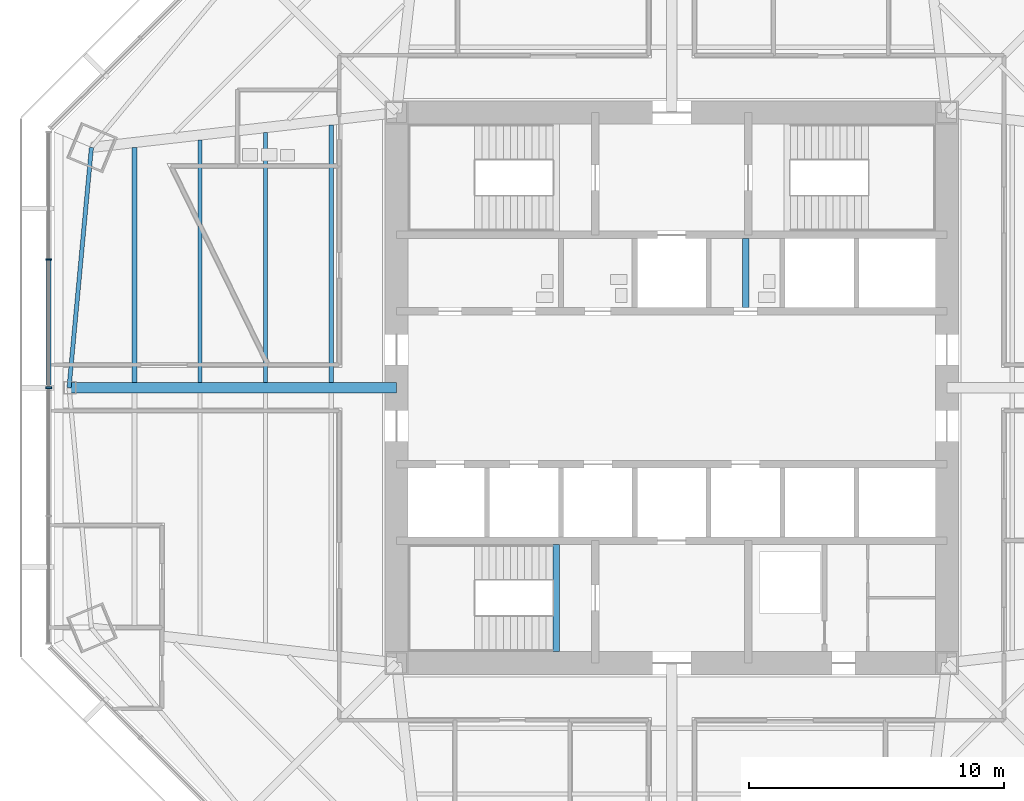
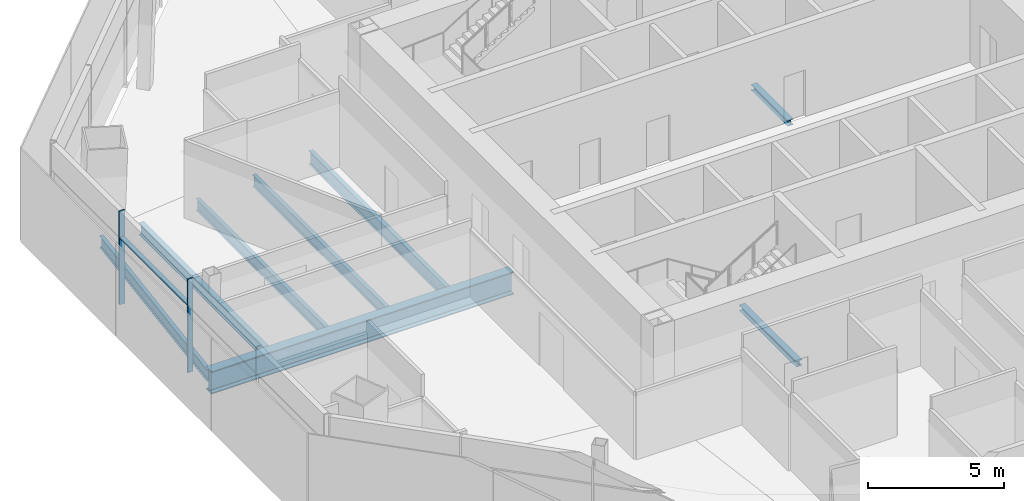
# One storey, part 3 of 15: 8 beams, 3 members, 1 element without a shape of its own.
"""IFC4 building model written with IfcOpenShell, lengths in metres."""

from ifc_helpers import new_model, si_unit, direction, frame, origin, origin_2d, place, context, subcontext, project, spatial, rectangle, i_section, extrude, source, transform, mapped, material, material_profile, profile_set, type_object, type_shapes, element, aggregate, save


model = new_model("IFC4")

# Units and contexts
model_context = context("Model", 3, precision=1e-05, world=origin(), true_north=direction((0.0, 1.0)))
body_context = subcontext(model_context, "Body", "Model", "MODEL_VIEW")
ifc_project = project(units=[si_unit("LENGTHUNIT", "METRE"), si_unit("AREAUNIT", "SQUARE_METRE"), si_unit("VOLUMEUNIT", "CUBIC_METRE"), si_unit("PLANEANGLEUNIT", "RADIAN"), si_unit("MASSUNIT", "GRAM", prefix="KILO")], contexts=[model_context])

# Site, building, storey
site_placement = place(None, origin())
site = spatial("IfcSite", under=ifc_project, at=site_placement, CompositionType="ELEMENT")
building_placement = place(site_placement, origin())
building = spatial("IfcBuilding", under=site, at=building_placement, Name="Mashrafa Tower", CompositionType="ELEMENT")
storey_placement = place(building_placement, frame((0.0, 0.0, 126.0)))
storey = spatial("IfcBuildingStorey", under=building, at=storey_placement, Name="L28", CompositionType="ELEMENT", Elevation=126.0)

# Beams
ifc_material_1 = material(Name="Steel ASTM A992", Category="steel")
ifc_material_profile_1 = material_profile(ifc_material_1, i_section(OverallWidth=0.1650390625, OverallDepth=0.52587890625, WebThickness=0.0087890625, FlangeThickness=0.011474609375, FilletRadius=0.0126953125, at=origin_2d()), Name="W21X44")
ifc_profile_set_1 = profile_set([ifc_material_profile_1], Name="Steel ASTM A992")
beam_type_1 = type_object("IfcBeamType", Name="Beam W21X44", PredefinedType="BEAM", material=ifc_profile_set_1)
beam_1_placement = place(storey_placement, frame((-18.512939453125, 0.20068359375, -0.427978515625), z_axis=(0.0, 1.0, 0.0), x_axis=(-1.0, 0.0, 0.0)))
element("IfcBeam", 1, at=beam_1_placement, inside=storey, type_object=beam_type_1, Name="Floor beam L28 005", PredefinedType="BEAM", context=body_context, shape_type="SweptSolid", body=[
    extrude(i_section(OverallWidth=0.1650390625, OverallDepth=0.52587890625, WebThickness=0.0087890625, FlangeThickness=0.011474609375, FilletRadius=0.0126953125, at=origin_2d()), origin(), (0.0, 0.0, 1.0), 9.517822265625),
])
beam_2_placement = place(storey_placement, frame((-15.94189453125, 0.20068359375, -0.427978515625), z_axis=(0.0, 1.0, 0.0), x_axis=(-1.0, 0.0, 0.0)))
element("IfcBeam", 2, at=beam_2_placement, inside=storey, type_object=beam_type_1, Name="Floor beam L28 007", PredefinedType="BEAM", context=body_context, shape_type="SweptSolid", body=[
    extrude(i_section(OverallWidth=0.1650390625, OverallDepth=0.52587890625, WebThickness=0.0087890625, FlangeThickness=0.011474609375, FilletRadius=0.0126953125, at=origin_2d()), origin(), (0.0, 0.0, 1.0), 9.81103515625),
])
beam_3_placement = place(storey_placement, frame((-22.77685546875, 9.4345703125, -0.427978515625), z_axis=(-0.092679804998, -0.995695964512, 0.0), x_axis=(0.995695964512, -0.092679804998, 0.0)))
element("IfcBeam", 3, at=beam_3_placement, inside=storey, type_object=beam_type_1, Name="Spandrel beam L28 067", PredefinedType="BEAM", context=body_context, shape_type="SweptSolid", body=[
    extrude(i_section(OverallWidth=0.1650390625, OverallDepth=0.52587890625, WebThickness=0.0087890625, FlangeThickness=0.011474609375, FilletRadius=0.0126953125, at=origin_2d()), origin(), (0.0, 0.0, 1.0), 9.475341796875),
])
ifc_material_2 = material(Name="Steel ASTM A992", Category="steel")
ifc_material_profile_2 = material_profile(ifc_material_2, i_section(OverallWidth=0.209228515625, OverallDepth=0.533447265625, WebThickness=0.01025390625, FlangeThickness=0.015625, FilletRadius=0.012939453125, at=origin_2d()), Name="W21X62")
ifc_profile_set_2 = profile_set([ifc_material_profile_2], Name="Steel ASTM A992")
beam_type_2 = type_object("IfcBeamType", Name="Beam W21X62", PredefinedType="BEAM", material=ifc_profile_set_2)
beam_4_placement = place(storey_placement, frame((-21.083984375, 0.20068359375, -0.431640625), z_axis=(0.0, 1.0, 0.0), x_axis=(-1.0, 0.0, 0.0)))
element("IfcBeam", 4, at=beam_4_placement, inside=storey, type_object=beam_type_2, Name="Floor beam L28 002", PredefinedType="BEAM", context=body_context, shape_type="SweptSolid", body=[
    extrude(i_section(OverallWidth=0.209228515625, OverallDepth=0.533447265625, WebThickness=0.01025390625, FlangeThickness=0.015625, FilletRadius=0.012939453125, at=origin_2d()), origin(), (0.0, 0.0, 1.0), 9.224853515625),
])
ifc_material_3 = material(Name="Steel ASTM A992", Category="steel")
ifc_material_profile_3 = material_profile(ifc_material_3, i_section(OverallWidth=0.177978515625, OverallDepth=0.599365234375, WebThickness=0.010009765625, FlangeThickness=0.012939453125, FilletRadius=0.012939453125, at=origin_2d()), Name="W24X55")
ifc_profile_set_3 = profile_set([ifc_material_profile_3], Name="Steel ASTM A992")
beam_type_3 = type_object("IfcBeamType", Name="Beam W24X55", PredefinedType="BEAM", material=ifc_profile_set_3)
beam_5_placement = place(storey_placement, frame((-13.37109375, 0.20068359375, -0.464599609375), z_axis=(0.0, 1.0, 0.0), x_axis=(-1.0, 0.0, 0.0)))
element("IfcBeam", 5, at=beam_5_placement, inside=storey, type_object=beam_type_3, Name="Floor beam L28 012", PredefinedType="BEAM", context=body_context, shape_type="SweptSolid", body=[
    extrude(i_section(OverallWidth=0.177978515625, OverallDepth=0.599365234375, WebThickness=0.010009765625, FlangeThickness=0.012939453125, FilletRadius=0.012939453125, at=origin_2d()), origin(), (0.0, 0.0, 1.0), 10.104248046875),
])
ifc_material_4 = material(Name="Steel ASTM A992", Category="steel")
ifc_material_profile_4 = material_profile(ifc_material_4, i_section(OverallWidth=0.4013671875, OverallDepth=1.010986328125, WebThickness=0.023681640625, FlangeThickness=0.0419921875, FilletRadius=0.02001953125, at=origin_2d()), Name="W40X297")
ifc_profile_set_4 = profile_set([ifc_material_profile_4], Name="Steel ASTM A992")
beam_type_4 = type_object("IfcBeamType", Name="Beam W40X297", PredefinedType="BEAM", material=ifc_profile_set_4)
beam_6_placement = place(storey_placement, frame((-10.800048828125, 0.0, -0.67041015625), z_axis=(-1.0, 0.0, 0.0), x_axis=(0.0, -1.0, 0.0)))
element("IfcBeam", 6, at=beam_6_placement, inside=storey, type_object=beam_type_4, Name="Radial girder L28 052", PredefinedType="BEAM", context=body_context, shape_type="SweptSolid", body=[
    extrude(i_section(OverallWidth=0.4013671875, OverallDepth=1.010986328125, WebThickness=0.023681640625, FlangeThickness=0.0419921875, FilletRadius=0.02001953125, at=origin_2d()), origin(), (0.0, 0.0, 1.0), 12.85498046875),
])
ifc_material_5 = material(Name="Steel ASTM A992", Category="steel")
ifc_material_profile_5 = material_profile(ifc_material_5, i_section(OverallWidth=0.25390625, OverallDepth=0.25390625, WebThickness=0.008544921875, FlangeThickness=0.01416015625, FilletRadius=0.010009765625, at=origin_2d()), Name="W10X49")
ifc_profile_set_5 = profile_set([ifc_material_profile_5], Name="Steel ASTM A992")
beam_type_5 = type_object("IfcBeamType", Name="Hoistway beam W10X49", PredefinedType="BEAM", material=ifc_profile_set_5)
beam_7_placement = place(storey_placement, frame((2.89990234375, 3.14990234375, -0.2919921875), z_axis=(0.0, 1.0, 0.0), x_axis=(-1.0, 0.0, 0.0)))
element("IfcBeam", 7, at=beam_7_placement, inside=storey, type_object=beam_type_5, Name="Hoistway beam L28 06", PredefinedType="BEAM", context=body_context, shape_type="SweptSolid", body=[
    extrude(i_section(OverallWidth=0.25390625, OverallDepth=0.25390625, WebThickness=0.008544921875, FlangeThickness=0.01416015625, FilletRadius=0.010009765625, at=origin_2d()), origin(), (0.0, 0.0, 1.0), 2.7001953125),
])
beam_8_placement = place(storey_placement, frame((-4.530029296875, -10.35009765625, -0.326904296875), z_axis=(0.0, 1.0, 0.0), x_axis=(-1.0, 0.0, 0.0)))
element("IfcBeam", 8, at=beam_8_placement, inside=storey, type_object=beam_type_5, Name="Stair S3 landing beam L28", PredefinedType="BEAM", context=body_context, shape_type="SweptSolid", body=[
    extrude(i_section(OverallWidth=0.25390625, OverallDepth=0.25390625, WebThickness=0.008544921875, FlangeThickness=0.01416015625, FilletRadius=0.010009765625, at=origin_2d()), origin(), (0.0, 0.0, 1.0), 4.2001953125),
])

# Curtain wall, members
ifc_material_6 = material(Name="Unitised aluminium curtain wall", Category="aluminium")
curtain_wall_type = type_object("IfcCurtainWallType", Name="Office curtain wall, zone 2 CW-B 225 deep", PredefinedType="NOTDEFINED", material=ifc_material_6)
curtain_wall_placement = place(storey_placement, origin())
curtain_wall = element("IfcCurtainWall", 9, at=curtain_wall_placement, inside=storey, type_object=curtain_wall_type, Name="Office curtain wall, zone 2 L28 west", PredefinedType="NOTDEFINED")
ifc_material_7 = material(Name="Extruded aluminium mullion", Category="aluminium")
ifc_material_profile_6 = material_profile(ifc_material_7, rectangle(XDim=0.22509765625, YDim=0.06494140625, at=origin_2d()), Name="Mullion 65x225")
ifc_profile_set_6 = profile_set([ifc_material_profile_6], Name="Extruded aluminium mullion")
member_type_1 = type_object("IfcMemberType", Name="Mullion CW-B 65 x 225", PredefinedType="MULLION", material=ifc_profile_set_6)
shared_shape_1 = source(origin(), body_context, "Body", "SweptSolid", [
    extrude(rectangle(XDim=0.22509765625, YDim=0.06494140625, at=origin_2d()), origin(), (0.0, 0.0, 1.0), 4.199951171875),
])
type_shapes(member_type_1, [shared_shape_1])
member_1_placement = place(storey_placement, frame((-24.450439453125, 5.03564453125, 0.0), z_axis=(0.0, 0.0, 1.0), x_axis=(1.0, 0.0, 0.0)))
member_1 = element("IfcMember", 10, at=member_1_placement, type_object=member_type_1, Name="CW-B mullion 2", PredefinedType="MULLION", context=body_context, shape_type="MappedRepresentation", body=[
    mapped(shared_shape_1, transform((0.0, 0.0, 0.0))),
])
member_2_placement = place(storey_placement, frame((-24.450439453125, 0.0, 0.0), z_axis=(0.0, 0.0, 1.0), x_axis=(1.0, 0.0, 0.0)))
member_2 = element("IfcMember", 11, at=member_2_placement, type_object=member_type_1, Name="CW-B mullion 3", PredefinedType="MULLION", context=body_context, shape_type="MappedRepresentation", body=[
    mapped(shared_shape_1, transform((0.0, 0.0, 0.0))),
])
ifc_material_8 = material(Name="Extruded aluminium transom", Category="aluminium")
ifc_material_profile_7 = material_profile(ifc_material_8, rectangle(XDim=0.179931640625, YDim=0.080078125, at=origin_2d()), Name="Transom 80x180")
ifc_profile_set_7 = profile_set([ifc_material_profile_7], Name="Extruded aluminium transom")
member_type_2 = type_object("IfcMemberType", Name="Transom CW-B 80 x 180", PredefinedType="MULLION", material=ifc_profile_set_7)
shared_shape_2 = source(origin(), body_context, "Body", "SweptSolid", [
    extrude(rectangle(XDim=0.179931640625, YDim=0.080078125, at=origin_2d()), origin(), (0.0, 0.0, 1.0), 4.970458984375),
])
type_shapes(member_type_2, [shared_shape_2])
member_3_placement = place(storey_placement, frame((-24.450439453125, 5.0029296875, 3.0), z_axis=(0.0, -1.0, 0.0), x_axis=(1.0, 0.0, 0.0)))
member_3 = element("IfcMember", 12, at=member_3_placement, type_object=member_type_2, Name="CW-B transom 2", PredefinedType="MULLION", context=body_context, shape_type="MappedRepresentation", body=[
    mapped(shared_shape_2, transform((0.0, 0.0, 0.0))),
])
aggregate(curtain_wall, [member_1, member_2, member_3])

save(model, "model.ifc")
